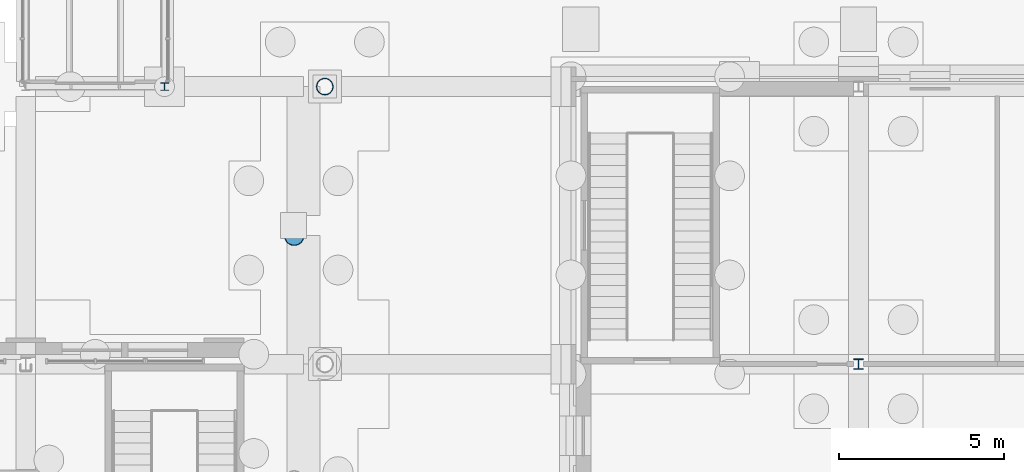
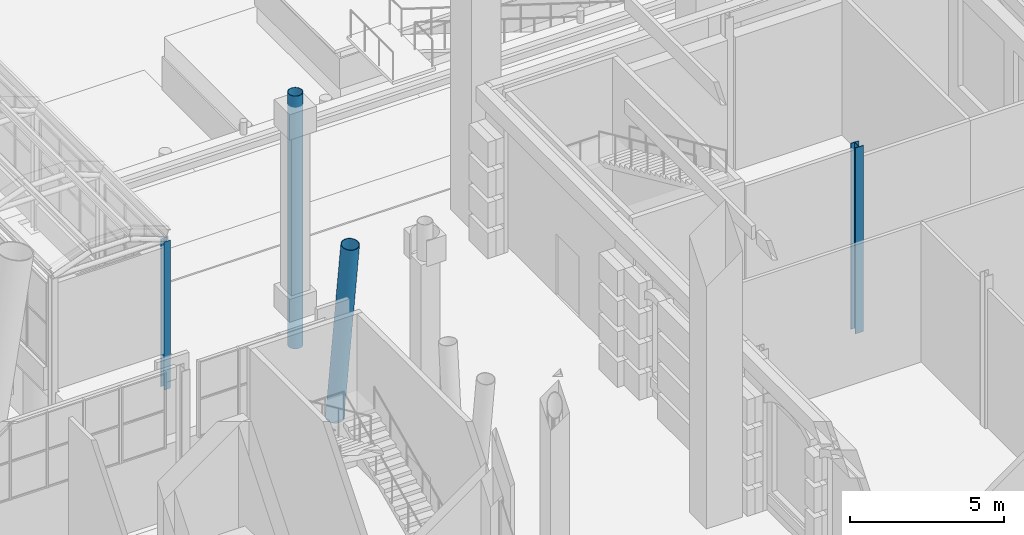
# One storey, part 25 of 222: 4 columns.
"""IFC4 building model written with IfcOpenShell, lengths in metres."""

from ifc_helpers import new_model, si_unit, direction, frame, origin, origin_2d, place, context, subcontext, project, spatial, hollow_circle, i_section, extrude, material, material_profile, profile_set, type_object, element, save


model = new_model("IFC4")

# Units and contexts
model_context = context("Model", 3, precision=1e-05, world=origin(), true_north=direction((0.0, 1.0)))
body_context = subcontext(model_context, "Body", "Model", "MODEL_VIEW")
ifc_project = project(units=[si_unit("LENGTHUNIT", "METRE"), si_unit("AREAUNIT", "SQUARE_METRE"), si_unit("VOLUMEUNIT", "CUBIC_METRE"), si_unit("PLANEANGLEUNIT", "RADIAN"), si_unit("MASSUNIT", "GRAM", prefix="KILO")], contexts=[model_context])

# Site, building, storey
site_placement = place(None, origin())
site = spatial("IfcSite", under=ifc_project, at=site_placement, CompositionType="ELEMENT")
building_placement = place(site_placement, origin())
building = spatial("IfcBuilding", under=site, at=building_placement, Name="Sava Quay Ferry Terminal", CompositionType="ELEMENT")
storey_placement = place(building_placement, origin())
storey = spatial("IfcBuildingStorey", under=building, at=storey_placement, Name="L00", CompositionType="ELEMENT", Elevation=0.0)

# Columns
ifc_material_1 = material(Name="Steel S355", Category="steel")
ifc_material_profile_1 = material_profile(ifc_material_1, i_section(OverallWidth=0.239990234375, OverallDepth=0.22998046875, WebThickness=0.007568359375, FlangeThickness=0.011962890625, at=origin_2d()), Name="HE 240 A")
ifc_profile_set_1 = profile_set([ifc_material_profile_1], Name="Steel S355")
column_type_1 = type_object("IfcColumnType", Name="Column HE 240 A", PredefinedType="COLUMN", material=ifc_profile_set_1)
column_1_placement = place(storey_placement, frame((79.800048828125, 109.199951171875, -1.35009765625), z_axis=(0.0, 0.0, 1.0), x_axis=(1.0, 0.0, 0.0)))
element("IfcColumn", 1, at=column_1_placement, inside=storey, type_object=column_type_1, Name="Gallery post B2 109.2", PredefinedType="COLUMN", context=body_context, shape_type="SweptSolid", body=[
    extrude(i_section(OverallWidth=0.239990234375, OverallDepth=0.22998046875, WebThickness=0.007568359375, FlangeThickness=0.011962890625, at=origin_2d()), origin(), (0.0, 0.0, 1.0), 5.85009765625),
])
ifc_material_2 = material(Name="Steel S355", Category="steel")
ifc_material_profile_2 = material_profile(ifc_material_2, i_section(OverallWidth=0.300048828125, OverallDepth=0.320068359375, WebThickness=0.011474609375, FlangeThickness=0.0205078125, at=origin_2d()), Name="HE 320 B")
ifc_profile_set_2 = profile_set([ifc_material_profile_2], Name="Steel S355")
column_type_2 = type_object("IfcColumnType", Name="Column HE 320 B", PredefinedType="COLUMN", material=ifc_profile_set_2)
column_2_placement = place(storey_placement, frame((100.800048828125, 100.800048828125, -1.35009765625), z_axis=(0.0, 0.0, 1.0), x_axis=(1.0, 0.0, 0.0)))
element("IfcColumn", 2, at=column_2_placement, inside=storey, type_object=column_type_2, Name="Column L00 100.8/100.8", PredefinedType="COLUMN", context=body_context, shape_type="SweptSolid", body=[
    extrude(i_section(OverallWidth=0.300048828125, OverallDepth=0.320068359375, WebThickness=0.011474609375, FlangeThickness=0.0205078125, at=origin_2d()), origin(), (0.0, 0.0, 1.0), 7.35009765625),
])
ifc_material_3 = material(Name="Steel S355", Category="steel")
ifc_material_profile_3 = material_profile(ifc_material_3, hollow_circle(Radius=0.25390625, WallThickness=0.01611328125, at=origin_2d()), Name="CHS 508 x 16.0")
ifc_profile_set_3 = profile_set([ifc_material_profile_3], Name="Steel S355")
column_type_3 = type_object("IfcColumnType", Name="Stern post CHS 508x16", PredefinedType="COLUMN", material=ifc_profile_set_3)
column_3_placement = place(storey_placement, frame((84.64990234375, 109.199951171875, -1.35009765625), z_axis=(0.0, 0.0, 1.0), x_axis=(1.0, 0.0, 0.0)))
element("IfcColumn", 3, at=column_3_placement, inside=storey, type_object=column_type_3, Name="Passage roof post 7", PredefinedType="COLUMN", context=body_context, shape_type="SweptSolid", body=[
    extrude(hollow_circle(Radius=0.25390625, WallThickness=0.01611328125, at=origin_2d()), origin(), (0.0, 0.0, 1.0), 9.988525390625),
])
ifc_material_4 = material(Name="Steel S355", Category="steel")
ifc_material_profile_4 = material_profile(ifc_material_4, hollow_circle(Radius=0.304931640625, WallThickness=0.02001953125, at=origin_2d()), Name="CHS 610 x 20.0")
ifc_profile_set_4 = profile_set([ifc_material_profile_4], Name="Steel S355")
column_type_4 = type_object("IfcColumnType", Name="V column CHS 610x20", PredefinedType="COLUMN", material=ifc_profile_set_4)
column_4_placement = place(storey_placement, frame((83.699951171875, 105.0, -1.35009765625), z_axis=(0.009332487335, -0.119376693122, 0.992805172136), x_axis=(0.996958130281, 0.077938991953, 0.0)))
element("IfcColumn", 4, at=column_4_placement, inside=storey, type_object=column_type_4, Name="Departure hall V column D-VR6b part 1", PredefinedType="COLUMN", context=body_context, shape_type="SweptSolid", body=[
    extrude(hollow_circle(Radius=0.304931640625, WallThickness=0.02001953125, at=origin_2d()), origin(), (0.0, 0.0, 1.0), 7.4033203125),
])

save(model, "model.ifc")
